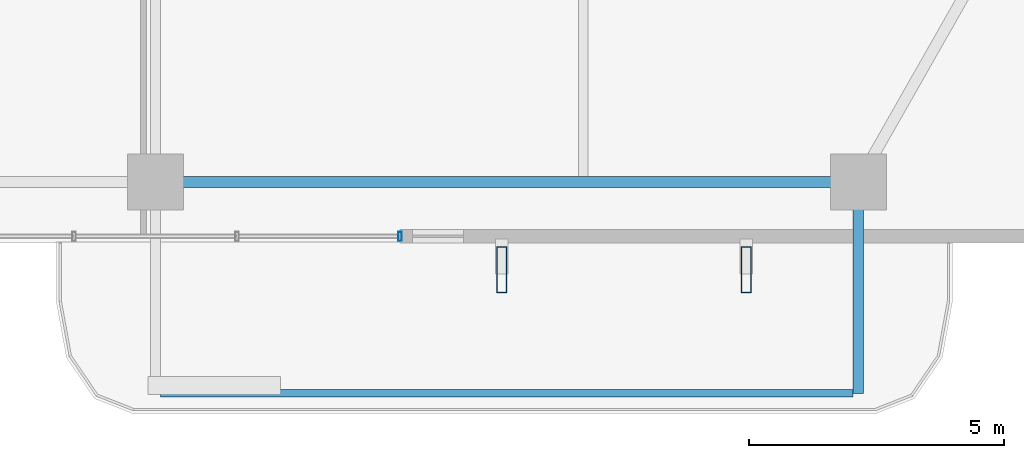
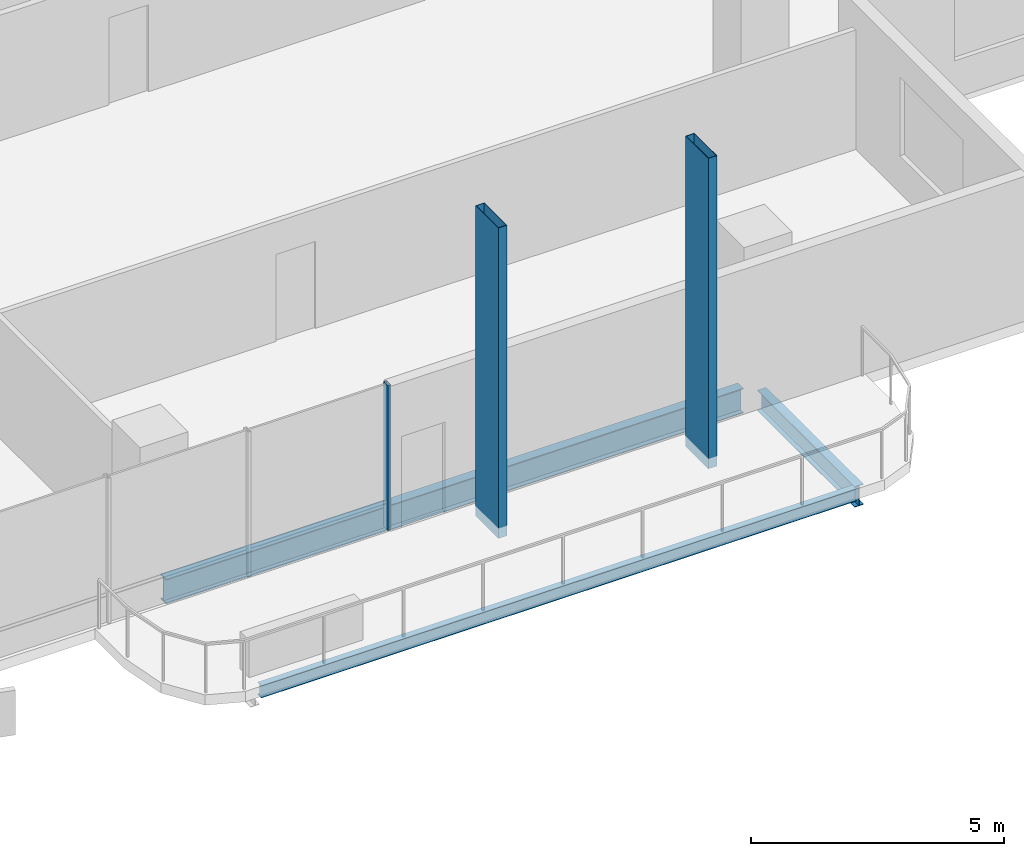
# One storey, part 6 of 24: 3 beams, 3 members, 1 element without a shape of its own.
"""IFC4 building model written with IfcOpenShell, lengths in metres."""

from ifc_helpers import new_model, si_unit, direction, frame, origin, origin_2d, place, context, subcontext, project, spatial, hollow_rectangle, i_section, extrude, material, layer, layer_set, material_profile, profile_set, type_object, element, aggregate, save


model = new_model("IFC4")

# Units and contexts
model_context = context("Model", 3, precision=1e-05, world=origin(), true_north=direction((0.0, 1.0)))
body_context = subcontext(model_context, "Body", "Model", "MODEL_VIEW")
ifc_project = project(units=[si_unit("LENGTHUNIT", "METRE"), si_unit("AREAUNIT", "SQUARE_METRE"), si_unit("VOLUMEUNIT", "CUBIC_METRE"), si_unit("PLANEANGLEUNIT", "RADIAN"), si_unit("MASSUNIT", "GRAM", prefix="KILO")], contexts=[model_context])

# Site, building, storey
site_placement = place(None, origin())
site = spatial("IfcSite", under=ifc_project, at=site_placement, CompositionType="ELEMENT")
building_placement = place(site_placement, origin())
building = spatial("IfcBuilding", under=site, at=building_placement, Name="Belovzor Exchange Tower", CompositionType="ELEMENT")
storey_placement = place(building_placement, frame((0.0, 0.0, 226.199951171875)))
storey = spatial("IfcBuildingStorey", under=building, at=storey_placement, Name="L56", CompositionType="ELEMENT", Elevation=226.199951171875)

# Beams
ifc_material_1 = material(Name="Steel S355", Category="steel")
ifc_material_profile_1 = material_profile(ifc_material_1, i_section(OverallWidth=0.199951171875, OverallDepth=0.5, WebThickness=0.01025390625, FlangeThickness=0.01611328125, at=origin_2d()))
ifc_profile_set_1 = profile_set([ifc_material_profile_1], Name="Steel S355")
beam_type_1 = type_object("IfcBeamType", Name="Planted Balcony Cantilever Beam IPE 500", PredefinedType="BEAM", material=ifc_profile_set_1)
beam_1_placement = place(storey_placement, frame((42.60009765625, 2.697021484375, -0.5), z_axis=(0.0, -1.0, 0.0), x_axis=(1.0, 0.0, 0.0)))
element("IfcBeam", 1, at=beam_1_placement, inside=storey, type_object=beam_type_1, Name="BC-500 Planted Balcony Cantilever Beam IPE 500", PredefinedType="BEAM", context=body_context, shape_type="SweptSolid", body=[
    extrude(i_section(OverallWidth=0.199951171875, OverallDepth=0.5, WebThickness=0.01025390625, FlangeThickness=0.01611328125, at=origin_2d()), origin(), (0.0, 0.0, 1.0), 3.85009765625),
])
ifc_material_2 = material(Name="Steel S355", Category="steel")
ifc_material_profile_2 = material_profile(ifc_material_2, i_section(OverallWidth=0.14990234375, OverallDepth=0.300048828125, WebThickness=0.007080078125, FlangeThickness=0.0107421875, at=origin_2d()))
ifc_profile_set_2 = profile_set([ifc_material_profile_2], Name="Steel S355")
beam_type_2 = type_object("IfcBeamType", Name="Planted Balcony Fascia Edge Beam IPE 300", PredefinedType="BEAM", material=ifc_profile_set_2)
beam_2_placement = place(storey_placement, frame((28.89990234375, -1.153076171875, -0.39990234375), z_axis=(1.0, 0.0, 0.0), x_axis=(0.0, 1.0, 0.0)))
element("IfcBeam", 2, at=beam_2_placement, inside=storey, type_object=beam_type_2, Name="BC-300 Planted Balcony Fascia Edge Beam IPE 300", PredefinedType="BEAM", context=body_context, shape_type="SweptSolid", body=[
    extrude(i_section(OverallWidth=0.14990234375, OverallDepth=0.300048828125, WebThickness=0.007080078125, FlangeThickness=0.0107421875, at=origin_2d()), origin(), (0.0, 0.0, 1.0), 13.60009765625),
])

# Members
ifc_material_3 = material(Name="Extruded Architectural Terracotta on Steel S355 Carrier", Category="masonry")
ifc_material_profile_3 = material_profile(ifc_material_3, hollow_rectangle(XDim=0.199951171875, YDim=0.89990234375, WallThickness=0.011962890625, at=origin_2d()))
ifc_profile_set_3 = profile_set([ifc_material_profile_3], Name="Extruded Architectural Terracotta on Steel S355 Carrier")
member_type_1 = type_object("IfcMemberType", Name="Sweeping Terracotta Baguette Fin Assembly 950", PredefinedType="USERDEFINED", material=ifc_profile_set_3)
for number, where, z_axis, x_axis, name in (
    (3, (35.60009765625, 1.27490234375, -0.25), (0.0, 0.0, 1.0), (1.0, 0.0, 0.0), "FIN-TC095 Terracotta Facade Fin L56 S3"),
    (4, (40.39990234375, 1.27490234375, -0.25), (0.0, 0.0, 1.0), (1.0, 0.0, 0.0), "FIN-TC095 Terracotta Facade Fin L56 S4"),
):
    element("IfcMember", number, at=place(storey_placement, frame(where, z_axis=z_axis, x_axis=x_axis)), inside=storey, type_object=member_type_1, Name=name, ObjectType="FIN", PredefinedType="USERDEFINED", context=body_context, shape_type="SweptSolid", body=[
        extrude(hollow_rectangle(XDim=0.199951171875, YDim=0.89990234375, WallThickness=0.011962890625, at=origin_2d()), origin(), (0.0, 0.0, 1.0), 7.5),
    ])

# Curtain wall, member
ifc_material_4 = material(Name="Anodised Aluminium Framing", Category="aluminium")
ifc_layer = layer(ifc_material_4, 0.179931640625)
ifc_layer_set = layer_set([ifc_layer], Name="Anodised Aluminium Framing")
curtain_wall_type = type_object("IfcCurtainWallType", Name="Recessed Loggia Low-Iron Triple-Glazed Curtain Wall", PredefinedType="NOTDEFINED", material=ifc_layer_set)
curtain_wall_placement = place(storey_placement, origin())
curtain_wall = element("IfcCurtainWall", 5, at=curtain_wall_placement, inside=storey, type_object=curtain_wall_type, Name="CW3 Recessed Loggia Low-Iron Triple-Glazed Curtain Wall L56", PredefinedType="NOTDEFINED")
ifc_material_5 = material(Name="Steel S355", Category="steel")
ifc_material_profile_4 = material_profile(ifc_material_5, hollow_rectangle(XDim=0.074951171875, YDim=0.179931640625, WallThickness=0.0048828125, at=origin_2d()))
ifc_profile_set_4 = profile_set([ifc_material_profile_4], Name="Steel S355")
member_type_2 = type_object("IfcMemberType", Name="Thermally Broken Curtain Wall Mullion 180x75", PredefinedType="MULLION", material=ifc_profile_set_4)
member_placement = place(storey_placement, frame((33.60009765625, 1.929931640625, 0.0), z_axis=(0.0, 0.0, 1.0), x_axis=(-1.0, 0.0, 0.0)))
member = element("IfcMember", 6, at=member_placement, type_object=member_type_2, Name="CW-M180 Curtain Wall Mullion 1", PredefinedType="MULLION", context=body_context, shape_type="SweptSolid", body=[
    extrude(hollow_rectangle(XDim=0.074951171875, YDim=0.179931640625, WallThickness=0.0048828125, at=origin_2d()), origin(), (0.0, 0.0, 1.0), 3.5),
])
aggregate(curtain_wall, [member])

# Beam
ifc_material_6 = material(Name="Steel S355", Category="steel")
ifc_material_profile_5 = material_profile(ifc_material_6, i_section(OverallWidth=0.219970703125, OverallDepth=0.60009765625, WebThickness=0.011962890625, FlangeThickness=0.01904296875, at=origin_2d()))
ifc_profile_set_5 = profile_set([ifc_material_profile_5], Name="Steel S355")
beam_type_3 = type_object("IfcBeamType", Name="Zone 4 Flare Primary Girder IPE 600", PredefinedType="BEAM", material=ifc_profile_set_5)
beam_3_placement = place(storey_placement, frame((29.10205078125, 3.0, -0.550048828125), z_axis=(1.0, 0.0, 0.0), x_axis=(0.0, 1.0, 0.0)))
element("IfcBeam", 7, at=beam_3_placement, inside=storey, type_object=beam_type_3, Name="FG-Z4 Zone 4 Flare Primary Girder IPE 600", PredefinedType="BEAM", context=body_context, shape_type="SweptSolid", body=[
    extrude(i_section(OverallWidth=0.219970703125, OverallDepth=0.60009765625, WebThickness=0.011962890625, FlangeThickness=0.01904296875, at=origin_2d()), origin(), (0.0, 0.0, 1.0), 13.195068359375),
])

save(model, "model.ifc")
